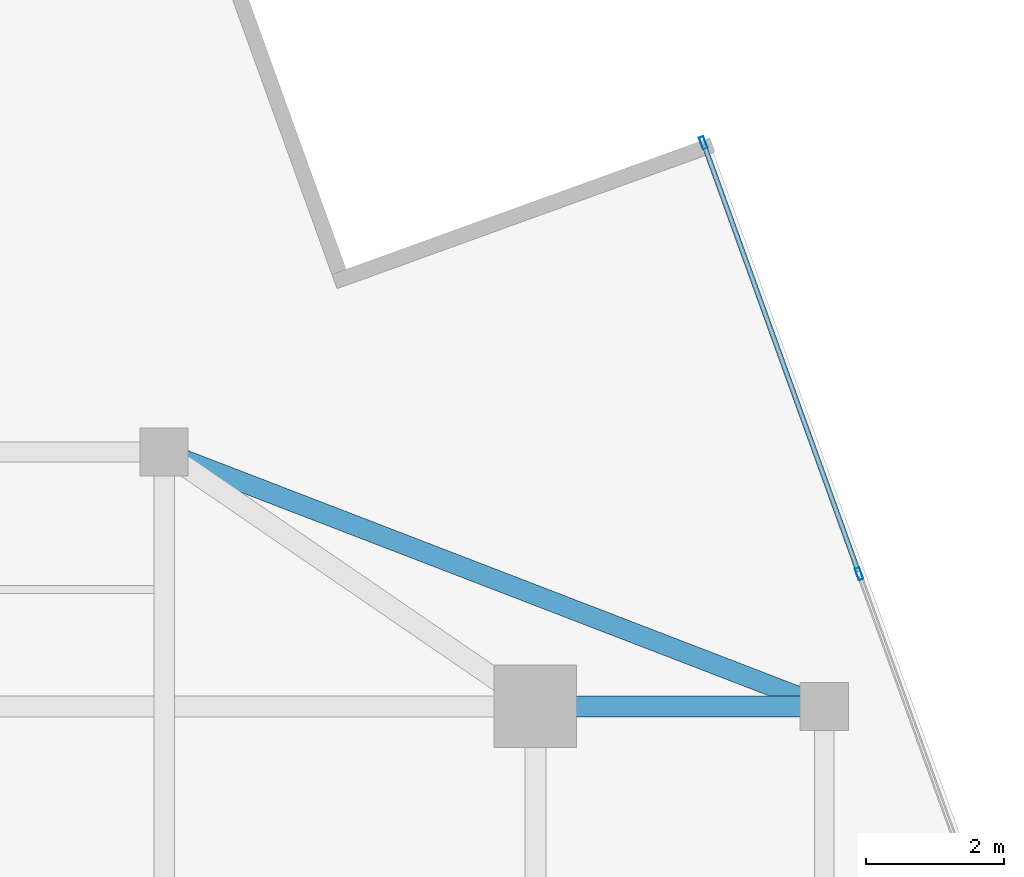
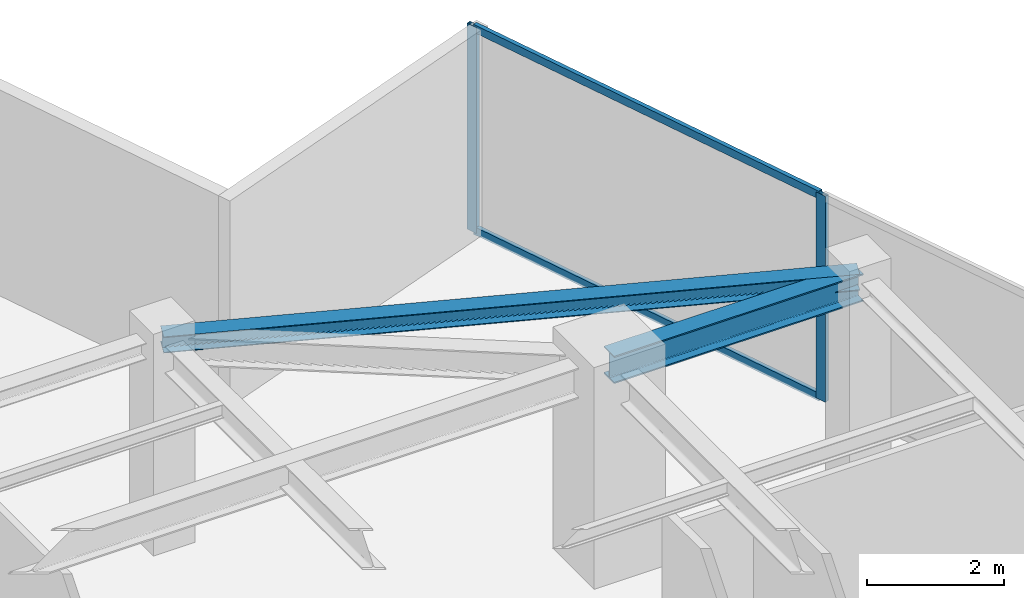
# One storey, part 16 of 21: 4 members, 2 beams, 1 element without a shape of its own.
"""IFC4 building model written with IfcOpenShell, lengths in metres."""

from ifc_helpers import new_model, si_unit, direction, frame, origin, origin_2d, place, context, subcontext, project, spatial, hollow_rectangle, i_section, extrude, source, transform, mapped, material, material_profile, profile_set, type_object, type_shapes, element, aggregate, save


model = new_model("IFC4")

# Units and contexts
model_context = context("Model", 3, precision=1e-05, world=origin(), true_north=direction((0.0, 1.0)))
body_context = subcontext(model_context, "Body", "Model", "MODEL_VIEW")
ifc_project = project(units=[si_unit("LENGTHUNIT", "METRE"), si_unit("AREAUNIT", "SQUARE_METRE"), si_unit("VOLUMEUNIT", "CUBIC_METRE"), si_unit("PLANEANGLEUNIT", "RADIAN"), si_unit("MASSUNIT", "GRAM", prefix="KILO")], contexts=[model_context])

# Site, building, storey
site_placement = place(None, origin())
site = spatial("IfcSite", under=ifc_project, at=site_placement, CompositionType="ELEMENT")
building_placement = place(site_placement, origin())
building = spatial("IfcBuilding", under=site, at=building_placement, Name="Krantzveldt Concourse Tower", CompositionType="ELEMENT")
storey_placement = place(building_placement, frame((0.0, 0.0, 331.64990234375)))
storey = spatial("IfcBuildingStorey", under=building, at=storey_placement, Name="L81", CompositionType="ELEMENT", Elevation=331.64990234375)

# Beams
ifc_material_1 = material(Name="Steel S355JR", Category="steel")
ifc_material_profile_1 = material_profile(ifc_material_1, i_section(OverallWidth=0.300048828125, OverallDepth=0.489990234375, WebThickness=0.011962890625, FlangeThickness=0.02294921875, FilletRadius=0.027099609375, at=origin_2d()), Name="Steel S355JR", Category="steel")
ifc_profile_set_1 = profile_set([ifc_material_profile_1], Name="Steel S355JR - HEA 500")
beam_type_1 = type_object("IfcBeamType", Name="BM-B-HEA500", PredefinedType="BEAM", material=ifc_profile_set_1)
shared_shape_1 = source(origin(), body_context, "Body", "SweptSolid", [
    extrude(i_section(OverallWidth=0.300048828125, OverallDepth=0.489990234375, WebThickness=0.011962890625, FlangeThickness=0.02294921875, FilletRadius=0.027099609375, at=origin_2d()), origin(), (0.0, 0.0, 1.0), 4.199951171875),
])
type_shapes(beam_type_1, [shared_shape_1])
beam_1_placement = place(storey_placement, frame((46.800048828125, 37.5, 3.425048828125), z_axis=(1.0, 0.0, 0.0), x_axis=(0.0, 1.0, 0.0)))
element("IfcBeam", 1, at=beam_1_placement, inside=storey, type_object=beam_type_1, Name="L81 Tower Girder BR-RR3", PredefinedType="BEAM", context=body_context, shape_type="MappedRepresentation", body=[
    mapped(shared_shape_1, transform((0.0, 0.0, 0.0), x_axis=(1.0, 0.0, 0.0), y_axis=(0.0, 1.0, 0.0), z_axis=(0.0, 0.0, 1.0), scale=1.0)),
])
ifc_material_profile_2 = material_profile(ifc_material_1, i_section(OverallWidth=0.2900390625, OverallDepth=0.2900390625, WebThickness=0.008544921875, FlangeThickness=0.013916015625, FilletRadius=0.027099609375, at=origin_2d()), Name="Steel S355JR", Category="steel")
ifc_profile_set_2 = profile_set([ifc_material_profile_2], Name="Steel S355JR - HEA 300")
beam_type_2 = type_object("IfcBeamType", Name="BM-SP-HEA300", PredefinedType="SPANDREL", material=ifc_profile_set_2)
shared_shape_2 = source(origin(), body_context, "Body", "SweptSolid", [
    extrude(i_section(OverallWidth=0.2900390625, OverallDepth=0.2900390625, WebThickness=0.008544921875, FlangeThickness=0.013916015625, FilletRadius=0.027099609375, at=origin_2d()), origin(), (0.0, 0.0, 1.0), 10.288330078125),
])
type_shapes(beam_type_2, [shared_shape_2])
beam_2_placement = place(storey_placement, frame((41.39990234375, 41.199951171875, 3.525146484375), z_axis=(0.933097690408, -0.359622997257, 0.0), x_axis=(0.359622997257, 0.933097690408, 0.0)))
element("IfcBeam", 2, at=beam_2_placement, inside=storey, type_object=beam_type_2, Name="L81 Tower Girder SP-R05", PredefinedType="SPANDREL", context=body_context, shape_type="MappedRepresentation", body=[
    mapped(shared_shape_2, transform((0.0, 0.0, 0.0), x_axis=(1.0, 0.0, 0.0), y_axis=(0.0, 1.0, 0.0), z_axis=(0.0, 0.0, 1.0), scale=1.0)),
])

# Curtain wall, members
ifc_material_2 = material(Name="Anodised aluminium 6063-T6", Category="aluminium")
curtain_wall_type = type_object("IfcCurtainWallType", Name="CW4", PredefinedType="USERDEFINED", material=ifc_material_2)
curtain_wall_placement = place(storey_placement, origin())
curtain_wall = element("IfcCurtainWall", 3, at=curtain_wall_placement, inside=storey, type_object=curtain_wall_type, Name="CW-L81-F10", ObjectType="UNITISED CURTAIN WALL", PredefinedType="USERDEFINED")
ifc_material_profile_3 = material_profile(ifc_material_2, hollow_rectangle(XDim=0.070068359375, YDim=0.179931640625, WallThickness=0.0048828125, at=origin_2d()), Name="Anodised aluminium 6063-T6", Category="aluminium")
ifc_profile_set_3 = profile_set([ifc_material_profile_3], Name="Anodised aluminium 6063-T6 - ALU-MULL 180x70x5")
member_type_1 = type_object("IfcMemberType", Name="CW-MUL-180", PredefinedType="MULLION", material=ifc_profile_set_3)
shared_shape_3 = source(origin(), body_context, "Body", "SweptSolid", [
    extrude(hollow_rectangle(XDim=0.070068359375, YDim=0.179931640625, WallThickness=0.0048828125, at=origin_2d()), origin(), (0.0, 0.0, 1.0), 3.670166015625),
])
type_shapes(member_type_1, [shared_shape_3])
member_1_placement = place(storey_placement, frame((51.505859375, 39.4296875, 0.0), z_axis=(0.0, 0.0, 1.0), x_axis=(-0.940436624478, -0.339969050563, 0.0)))
member_1 = element("IfcMember", 4, at=member_1_placement, type_object=member_type_1, Name="CW-Z56 mullion 4", PredefinedType="MULLION", context=body_context, shape_type="MappedRepresentation", body=[
    mapped(shared_shape_3, transform((0.0, 0.0, 0.0), x_axis=(1.0, 0.0, 0.0), y_axis=(0.0, 1.0, 0.0), z_axis=(0.0, 0.0, 1.0), scale=1.0)),
])
member_2_placement = place(storey_placement, frame((49.239990234375, 45.69775390625, 0.0), z_axis=(0.0, 0.0, 1.0), x_axis=(-0.940436624478, -0.339969050563, 0.0)))
member_2 = element("IfcMember", 5, at=member_2_placement, type_object=member_type_1, Name="CW-Z56 mullion 5", PredefinedType="MULLION", context=body_context, shape_type="MappedRepresentation", body=[
    mapped(shared_shape_3, transform((0.0, 0.0, 0.0), x_axis=(1.0, 0.0, 0.0), y_axis=(0.0, 1.0, 0.0), z_axis=(0.0, 0.0, 1.0), scale=1.0)),
])
ifc_material_profile_4 = material_profile(ifc_material_2, hollow_rectangle(XDim=0.070068359375, YDim=0.139892578125, WallThickness=0.0048828125, at=origin_2d()), Name="Anodised aluminium 6063-T6", Category="aluminium")
ifc_profile_set_4 = profile_set([ifc_material_profile_4], Name="Anodised aluminium 6063-T6 - ALU-TRAN 140x70x5")
member_type_2 = type_object("IfcMemberType", Name="CW-TRN-150", PredefinedType="USERDEFINED", material=ifc_profile_set_4)
shared_shape_4 = source(origin(), body_context, "Body", "SweptSolid", [
    extrude(hollow_rectangle(XDim=0.070068359375, YDim=0.139892578125, WallThickness=0.0048828125, at=origin_2d()), origin(), (0.0, 0.0, 1.0), 6.594970703125),
])
type_shapes(member_type_2, [shared_shape_4])
member_3_placement = place(storey_placement, frame((51.493896484375, 39.462646484375, 0.03515625), z_axis=(-0.339950103124, 0.940443473785, 0.0), x_axis=(-0.940443473785, -0.339950103124, 0.0)))
member_3 = element("IfcMember", 6, at=member_3_placement, type_object=member_type_2, Name="CW-Z56 transom 4.1", ObjectType="TRANSOM", PredefinedType="USERDEFINED", context=body_context, shape_type="MappedRepresentation", body=[
    mapped(shared_shape_4, transform((0.0, 0.0, 0.0), x_axis=(1.0, 0.0, 0.0), y_axis=(0.0, 1.0, 0.0), z_axis=(0.0, 0.0, 1.0), scale=1.0)),
])
member_4_placement = place(storey_placement, frame((51.493896484375, 39.462646484375, 3.635009765625), z_axis=(-0.339950103124, 0.940443473785, 0.0), x_axis=(-0.940443473785, -0.339950103124, 0.0)))
member_4 = element("IfcMember", 7, at=member_4_placement, type_object=member_type_2, Name="CW-Z56 transom 4.2", ObjectType="TRANSOM", PredefinedType="USERDEFINED", context=body_context, shape_type="MappedRepresentation", body=[
    mapped(shared_shape_4, transform((0.0, 0.0, 0.0), x_axis=(1.0, 0.0, 0.0), y_axis=(0.0, 1.0, 0.0), z_axis=(0.0, 0.0, 1.0), scale=1.0)),
])
aggregate(curtain_wall, [member_1, member_2, member_3, member_4])

save(model, "model.ifc")
